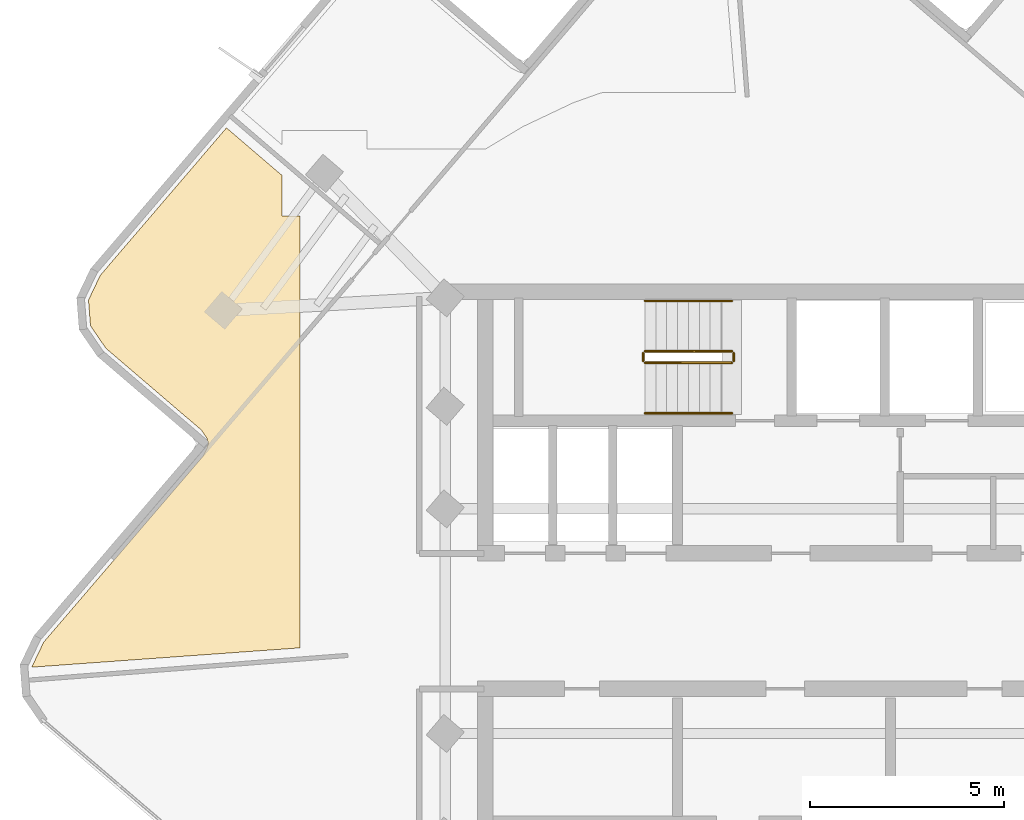
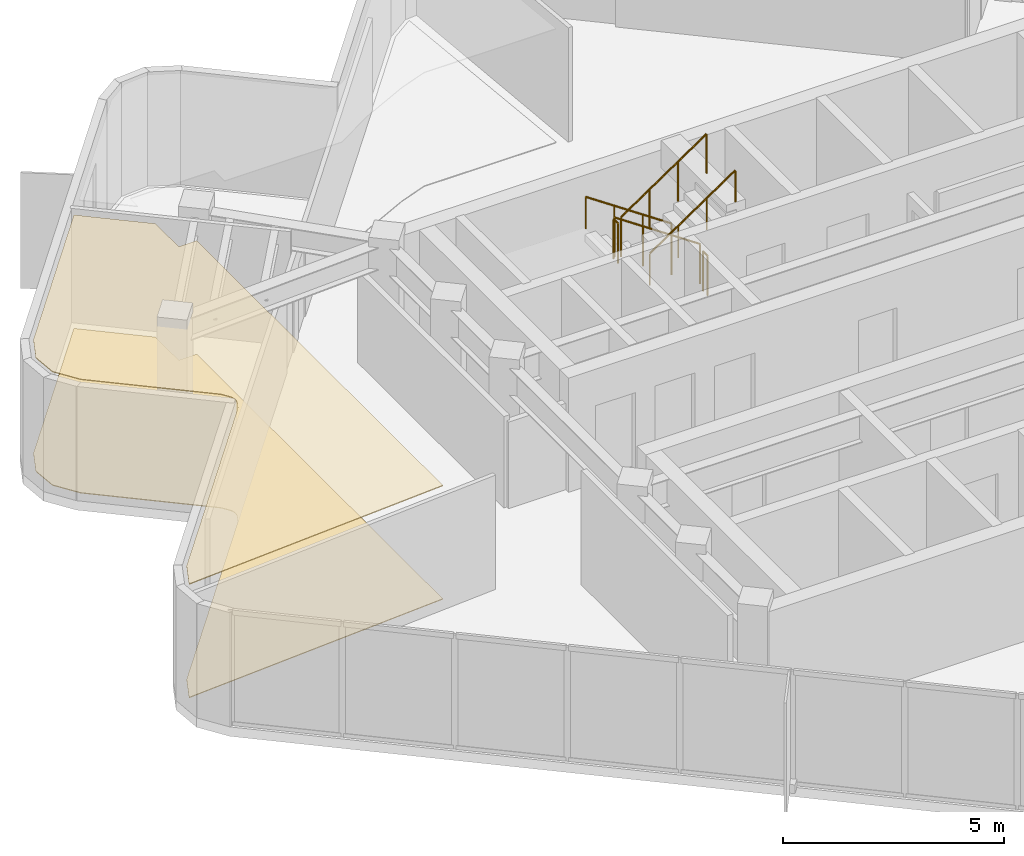
# One storey, part 10 of 11: 6 railings, 2 coverings.
"""IFC4 building model written with IfcOpenShell, lengths in metres."""

from ifc_helpers import new_model, si_unit, direction, frame, origin, origin_2d, place, context, subcontext, project, spatial, polyline, circle, outline, extrude, material, layer, layer_set, type_object, element, save


model = new_model("IFC4")

# Units and contexts
model_context = context("Model", 3, precision=1e-05, world=origin(), true_north=direction((0.0, 1.0)))
body_context = subcontext(model_context, "Body", "Model", "MODEL_VIEW")
ifc_project = project(units=[si_unit("LENGTHUNIT", "METRE"), si_unit("AREAUNIT", "SQUARE_METRE"), si_unit("VOLUMEUNIT", "CUBIC_METRE"), si_unit("PLANEANGLEUNIT", "RADIAN"), si_unit("MASSUNIT", "GRAM", prefix="KILO")], contexts=[model_context])

# Site, building, storey
site_placement = place(None, origin())
site = spatial("IfcSite", under=ifc_project, at=site_placement, CompositionType="ELEMENT")
building_placement = place(site_placement, origin())
building = spatial("IfcBuilding", under=site, at=building_placement, Name="Solmarez Civic Tower", CompositionType="ELEMENT")
storey_placement = place(building_placement, frame((0.0, 0.0, 250.919921875)))
storey = spatial("IfcBuildingStorey", under=building, at=storey_placement, Name="L67", CompositionType="ELEMENT", Elevation=250.919921875)

# Coverings
ifc_material_1 = material(Name="Perforated Mineral-Fibre Acoustic Ceiling")
ifc_layer_1 = layer(ifc_material_1, 0.02490234375)
ifc_layer_set_1 = layer_set([ifc_layer_1], Name="Perforated Mineral-Fibre Acoustic Ceiling")
covering_type_1 = type_object("IfcCoveringType", Name="COV-CEIL-ACOUSTIC", PredefinedType="CEILING", material=ifc_layer_set_1)
covering_1_placement = place(storey_placement, frame((0.0, 0.0, 3.135009765625)))
element("IfcCovering", 1, at=covering_1_placement, inside=storey, type_object=covering_type_1, Name="L67 Suspended Acoustic Ceiling 1", PredefinedType="CEILING", context=body_context, shape_type="SweptSolid", body=[
    extrude(outline(polyline([(-15.1279296875, 4.239990234375), (-19.220947265625, -0.5419921875), (-19.527099609375, -1.181884765625), (-19.527099609375, -1.18798828125), (-12.60009765625, -0.68896484375), (-12.60009765625, 10.466064453125), (-13.071044921875, 10.466064453125), (-13.071044921875, 11.51708984375), (-14.5, 12.739990234375), (-17.758056640625, 8.93310546875), (-18.06396484375, 8.2939453125), (-18.011962890625, 7.62890625), (-17.612060546875, 7.0439453125), (-15.181884765625, 4.965087890625), (-15.177001953125, 4.9609375), (-15.160888671875, 4.946044921875), (-15.14599609375, 4.928955078125), (-15.14208984375, 4.924072265625), (-15.1279296875, 4.905029296875), (-15.029052734375, 4.760986328125), (-15.02490234375, 4.7548828125), (-15.014892578125, 4.738037109375), (-15.006103515625, 4.719970703125), (-15.0029296875, 4.712890625), (-15.0, 4.7060546875), (-14.993896484375, 4.68896484375), (-14.989013671875, 4.672119140625), (-14.987060546875, 4.6640625), (-14.98193359375, 4.64208984375), (-14.98095703125, 4.631103515625), (-14.97998046875, 4.623046875), (-14.97802734375, 4.60400390625), (-14.97802734375, 4.583984375), (-14.97900390625, 4.573974609375), (-14.97998046875, 4.56103515625), (-14.98291015625, 4.5400390625), (-14.987060546875, 4.52099609375), (-14.989990234375, 4.512939453125), (-14.9951171875, 4.49609375), (-15.0009765625, 4.47900390625), (-15.00390625, 4.471923828125), (-15.007080078125, 4.464111328125), (-15.0810546875, 4.30908203125), (-15.090087890625, 4.2939453125), (-15.10205078125, 4.27294921875), (-15.115966796875, 4.25390625), (-15.1279296875, 4.239990234375)])), origin(), (0.0, 0.0, 1.0), 0.025146484375),
])
ifc_material_2 = material(Name="Polished Tropical Stone Terrazzo Flooring", Category="masonry")
ifc_layer_2 = layer(ifc_material_2, 0.02001953125)
ifc_layer_set_2 = layer_set([ifc_layer_2], Name="Polished Tropical Stone Terrazzo Flooring")
covering_type_2 = type_object("IfcCoveringType", Name="COV-FLOOR-TERRAZZO", PredefinedType="FLOORING", material=ifc_layer_set_2)
covering_2_placement = place(storey_placement, origin())
element("IfcCovering", 2, at=covering_2_placement, inside=storey, type_object=covering_type_2, Name="L67 Terrazzo Floor Finish 1", PredefinedType="FLOORING", context=body_context, shape_type="SweptSolid", body=[
    extrude(outline(polyline([(-15.1279296875, 4.239990234375), (-19.220947265625, -0.5419921875), (-19.527099609375, -1.181884765625), (-19.527099609375, -1.18798828125), (-12.60009765625, -0.68896484375), (-12.60009765625, 10.466064453125), (-13.071044921875, 10.466064453125), (-13.071044921875, 11.51708984375), (-14.5, 12.739990234375), (-17.758056640625, 8.93310546875), (-18.06396484375, 8.2939453125), (-18.011962890625, 7.62890625), (-17.612060546875, 7.0439453125), (-15.181884765625, 4.965087890625), (-15.177001953125, 4.9609375), (-15.160888671875, 4.946044921875), (-15.14599609375, 4.928955078125), (-15.14208984375, 4.924072265625), (-15.1279296875, 4.905029296875), (-15.029052734375, 4.760986328125), (-15.02490234375, 4.7548828125), (-15.014892578125, 4.738037109375), (-15.006103515625, 4.719970703125), (-15.0029296875, 4.712890625), (-15.0, 4.7060546875), (-14.993896484375, 4.68896484375), (-14.989013671875, 4.672119140625), (-14.987060546875, 4.6640625), (-14.98193359375, 4.64208984375), (-14.98095703125, 4.631103515625), (-14.97998046875, 4.623046875), (-14.97802734375, 4.60400390625), (-14.97802734375, 4.583984375), (-14.97900390625, 4.573974609375), (-14.97998046875, 4.56103515625), (-14.98291015625, 4.5400390625), (-14.987060546875, 4.52099609375), (-14.989990234375, 4.512939453125), (-14.9951171875, 4.49609375), (-15.0009765625, 4.47900390625), (-15.00390625, 4.471923828125), (-15.007080078125, 4.464111328125), (-15.0810546875, 4.30908203125), (-15.090087890625, 4.2939453125), (-15.10205078125, 4.27294921875), (-15.115966796875, 4.25390625), (-15.1279296875, 4.239990234375)])), origin(), (0.0, 0.0, 1.0), 0.02001953125),
])

# Railings
ifc_material_3 = material(Name="Painted Steel Stairwell Safety Guard", Category="steel")
railing_type_1 = type_object("IfcRailingType", Name="GUARD-STAIR-1120", PredefinedType="BALUSTRADE", material=ifc_material_3)
railing_1_placement = place(storey_placement, frame((-1.449951171875, 6.969970703125, 0.190185546875)))
element("IfcRailing", 3, at=railing_1_placement, inside=storey, type_object=railing_type_1, Name="L67 ST-1 stair guard 1", PredefinedType="BALUSTRADE", context=body_context, shape_type="SweptSolid", body=[
    extrude(circle(Radius=0.02392578125, at=origin_2d()), frame((0.0, 0.0, 1.09619140625), z_axis=(-0.827513188522, 0.0, 0.561446277771), x_axis=(0.0, -1.0, 0.0)), (0.0, 0.0, 1.0), 2.706787109375),
    extrude(circle(Radius=0.02099609375, at=origin_2d()), origin(), (0.0, 0.0, 1.0), 1.072021484375),
    extrude(circle(Radius=0.02099609375, at=origin_2d()), frame((-0.74658203125, 0.0, 0.506591796875)), (0.0, 0.0, 1.0), 1.072021484375),
    extrude(circle(Radius=0.02099609375, at=origin_2d()), frame((-1.493408203125, 0.0, 1.01318359375)), (0.0, 0.0, 1.0), 1.072021484375),
    extrude(circle(Radius=0.02099609375, at=origin_2d()), frame((-2.239990234375, 0.0, 1.519775390625)), (0.0, 0.0, 1.0), 1.072021484375),
])
railing_2_placement = place(storey_placement, frame((-3.739990234375, 6.919921875, 1.7099609375)))
element("IfcRailing", 4, at=railing_2_placement, inside=storey, type_object=railing_type_1, Name="L67 ST-1 stair guard 2", PredefinedType="BALUSTRADE", context=body_context, shape_type="SweptSolid", body=[
    extrude(circle(Radius=0.02392578125, at=origin_2d()), frame((0.0, 0.0, 1.09619140625), z_axis=(0.0, -1.0, 0.0), x_axis=(1.0, 0.0, 0.0)), (0.0, 0.0, 1.0), 0.199951171875),
    extrude(circle(Radius=0.02099609375, at=origin_2d()), origin(), (0.0, 0.0, 1.0), 1.072021484375),
    extrude(circle(Radius=0.02099609375, at=origin_2d()), frame((0.0, -0.199951171875, 0.0)), (0.0, 0.0, 1.0), 1.072021484375),
])
railing_3_placement = place(storey_placement, frame((-3.68994140625, 6.669921875, 1.900146484375)))
element("IfcRailing", 5, at=railing_3_placement, inside=storey, type_object=railing_type_1, Name="L67 ST-1 stair guard 3", PredefinedType="BALUSTRADE", context=body_context, shape_type="SweptSolid", body=[
    extrude(circle(Radius=0.02392578125, at=origin_2d()), frame((0.0, 0.0, 1.09619140625), z_axis=(0.827471284677, 0.0, 0.561508034703), x_axis=(0.0, 1.0, 0.0)), (0.0, 0.0, 1.0), 2.70703125),
    extrude(circle(Radius=0.02099609375, at=origin_2d()), origin(), (0.0, 0.0, 1.0), 1.072021484375),
    extrude(circle(Radius=0.02099609375, at=origin_2d()), frame((0.74658203125, 0.0, 0.506591796875)), (0.0, 0.0, 1.0), 1.072021484375),
    extrude(circle(Radius=0.02099609375, at=origin_2d()), frame((1.493408203125, 0.0, 1.013427734375)), (0.0, 0.0, 1.0), 1.072021484375),
    extrude(circle(Radius=0.02099609375, at=origin_2d()), frame((2.239990234375, 0.0, 1.52001953125)), (0.0, 0.0, 1.0), 1.072021484375),
])
railing_4_placement = place(storey_placement, frame((-1.39990234375, 6.919921875, 0.0)))
element("IfcRailing", 6, at=railing_4_placement, inside=storey, type_object=railing_type_1, Name="L67 ST-1 stair guard 4", PredefinedType="BALUSTRADE", context=body_context, shape_type="SweptSolid", body=[
    extrude(circle(Radius=0.02392578125, at=origin_2d()), frame((0.0, 0.0, 1.09619140625), z_axis=(0.0, -1.0, 0.0), x_axis=(1.0, 0.0, 0.0)), (0.0, 0.0, 1.0), 0.199951171875),
    extrude(circle(Radius=0.02099609375, at=origin_2d()), origin(), (0.0, 0.0, 1.0), 1.072021484375),
    extrude(circle(Radius=0.02099609375, at=origin_2d()), frame((0.0, -0.199951171875, 0.0)), (0.0, 0.0, 1.0), 1.072021484375),
])
ifc_material_4 = material(Name="Brushed Stainless Steel Tube Handrail", Category="steel")
railing_type_2 = type_object("IfcRailingType", Name="HANDRAIL-STAIR-900", PredefinedType="HANDRAIL", material=ifc_material_4)
railing_5_placement = place(storey_placement, frame((-1.449951171875, 8.27001953125, 0.190185546875)))
element("IfcRailing", 7, at=railing_5_placement, inside=storey, type_object=railing_type_2, Name="L67 ST-1 stair handrail 1", PredefinedType="HANDRAIL", context=body_context, shape_type="SweptSolid", body=[
    extrude(circle(Radius=0.02392578125, at=origin_2d()), frame((0.0, 0.0, 0.8759765625), z_axis=(-0.827513188522, 0.0, 0.561446277771), x_axis=(0.0, -1.0, 0.0)), (0.0, 0.0, 1.0), 2.706787109375),
    extrude(circle(Radius=0.02099609375, at=origin_2d()), origin(), (0.0, 0.0, 1.0), 0.851806640625),
    extrude(circle(Radius=0.02099609375, at=origin_2d()), frame((-0.74658203125, 0.0, 0.506591796875)), (0.0, 0.0, 1.0), 0.851806640625),
    extrude(circle(Radius=0.02099609375, at=origin_2d()), frame((-1.493408203125, 0.0, 1.01318359375)), (0.0, 0.0, 1.0), 0.851806640625),
    extrude(circle(Radius=0.02099609375, at=origin_2d()), frame((-2.239990234375, 0.0, 1.519775390625)), (0.0, 0.0, 1.0), 0.851806640625),
])
railing_6_placement = place(storey_placement, frame((-3.68994140625, 5.3701171875, 1.900146484375)))
element("IfcRailing", 8, at=railing_6_placement, inside=storey, type_object=railing_type_2, Name="L67 ST-1 stair handrail 2", PredefinedType="HANDRAIL", context=body_context, shape_type="SweptSolid", body=[
    extrude(circle(Radius=0.02392578125, at=origin_2d()), frame((0.0, 0.0, 0.8759765625), z_axis=(0.827471284677, 0.0, 0.561508034703), x_axis=(0.0, 1.0, 0.0)), (0.0, 0.0, 1.0), 2.70703125),
    extrude(circle(Radius=0.02099609375, at=origin_2d()), origin(), (0.0, 0.0, 1.0), 0.851806640625),
    extrude(circle(Radius=0.02099609375, at=origin_2d()), frame((0.74658203125, 0.0, 0.506591796875)), (0.0, 0.0, 1.0), 0.851806640625),
    extrude(circle(Radius=0.02099609375, at=origin_2d()), frame((1.493408203125, 0.0, 1.013427734375)), (0.0, 0.0, 1.0), 0.851806640625),
    extrude(circle(Radius=0.02099609375, at=origin_2d()), frame((2.239990234375, 0.0, 1.52001953125)), (0.0, 0.0, 1.0), 0.851806640625),
])

save(model, "model.ifc")
